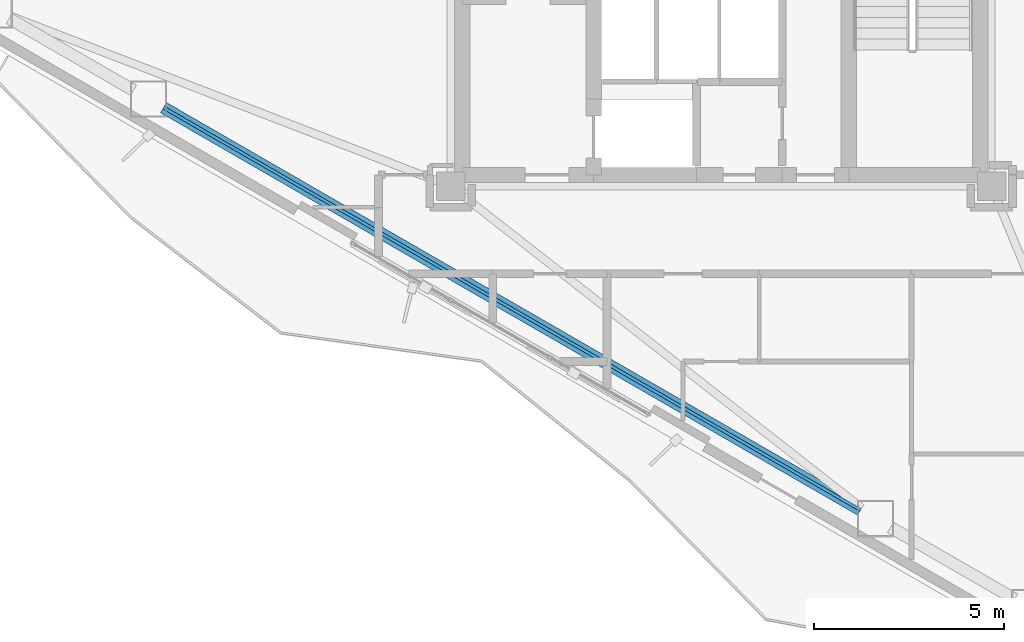
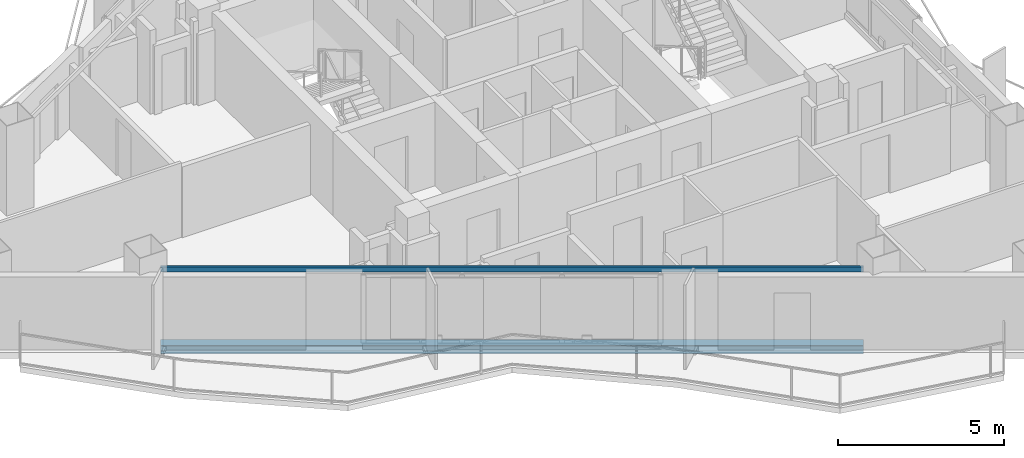
# One storey, part 3 of 21: 2 beams.
"""IFC4 building model written with IfcOpenShell, lengths in metres."""

from ifc_helpers import new_model, si_unit, direction, frame, origin, origin_2d, place, context, subcontext, project, spatial, hollow_rectangle, i_section, extrude, material, material_profile, profile_set, type_object, element, save


model = new_model("IFC4")

# Units and contexts
model_context = context("Model", 3, precision=1e-05, world=origin(), true_north=direction((0.0, 1.0)))
body_context = subcontext(model_context, "Body", "Model", "MODEL_VIEW")
ifc_project = project(units=[si_unit("LENGTHUNIT", "METRE"), si_unit("AREAUNIT", "SQUARE_METRE"), si_unit("VOLUMEUNIT", "CUBIC_METRE"), si_unit("PLANEANGLEUNIT", "RADIAN"), si_unit("MASSUNIT", "GRAM", prefix="KILO")], contexts=[model_context])

# Site, building, storey
site_placement = place(None, origin())
site = spatial("IfcSite", under=ifc_project, at=site_placement, CompositionType="ELEMENT")
building_placement = place(site_placement, origin())
building = spatial("IfcBuilding", under=site, at=building_placement, Name="Mersakhor Tower and Convention Hall", CompositionType="ELEMENT")
storey_placement = place(building_placement, frame((0.0, 0.0, 182.10009765625)))
storey = spatial("IfcBuildingStorey", under=building, at=storey_placement, Name="L50", CompositionType="ELEMENT", Elevation=182.10009765625)

# Beams
ifc_material_1 = material(Name="Steel S355", Category="steel")
ifc_material_profile_1 = material_profile(ifc_material_1, hollow_rectangle(XDim=0.080078125, YDim=0.179931640625, WallThickness=0.008056640625, at=origin_2d()), Name="RHS 180x80x8")
ifc_profile_set_1 = profile_set([ifc_material_profile_1], Name="Steel S355")
beam_type_1 = type_object("IfcBeamType", Name="BM-GRT-RHS180", PredefinedType="USERDEFINED", material=ifc_profile_set_1)
beam_1_placement = place(storey_placement, frame((32.65771484375, 11.949951171875, 2.47998046875), z_axis=(-0.866028813665, 0.499994093867, 0.0), x_axis=(-0.499994093867, -0.866028813665, 0.0)))
element("IfcBeam", 1, at=beam_1_placement, inside=storey, type_object=beam_type_1, Name="L50 Facade Support Girt GRT-F3", ObjectType="GIRT", PredefinedType="USERDEFINED", context=body_context, shape_type="SweptSolid", body=[
    extrude(hollow_rectangle(XDim=0.080078125, YDim=0.179931640625, WallThickness=0.008056640625, at=origin_2d()), origin(), (0.0, 0.0, 1.0), 21.135498046875),
])
ifc_material_2 = material(Name="Steel S355", Category="steel")
ifc_material_profile_2 = material_profile(ifc_material_2, i_section(OverallWidth=0.30908203125, OverallDepth=0.320556640625, WebThickness=0.013916015625, FlangeThickness=0.021728515625, at=origin_2d()), Name="UC 305x305x137")
ifc_profile_set_2 = profile_set([ifc_material_profile_2], Name="Steel S355")
beam_type_2 = type_object("IfcBeamType", Name="BM-SPD-UC305", PredefinedType="SPANDREL", material=ifc_profile_set_2)
beam_2_placement = place(storey_placement, frame((32.65771484375, 11.949951171875, -0.390380859375), z_axis=(-0.866028813665, 0.499994093867, 0.0), x_axis=(-0.499994093867, -0.866028813665, 0.0)))
element("IfcBeam", 2, at=beam_2_placement, inside=storey, type_object=beam_type_2, Name="L50 Perimeter Spandrel Beam SPB-10", PredefinedType="SPANDREL", context=body_context, shape_type="SweptSolid", body=[
    extrude(i_section(OverallWidth=0.30908203125, OverallDepth=0.320556640625, WebThickness=0.013916015625, FlangeThickness=0.021728515625, at=origin_2d()), origin(), (0.0, 0.0, 1.0), 21.135498046875),
])

save(model, "model.ifc")
